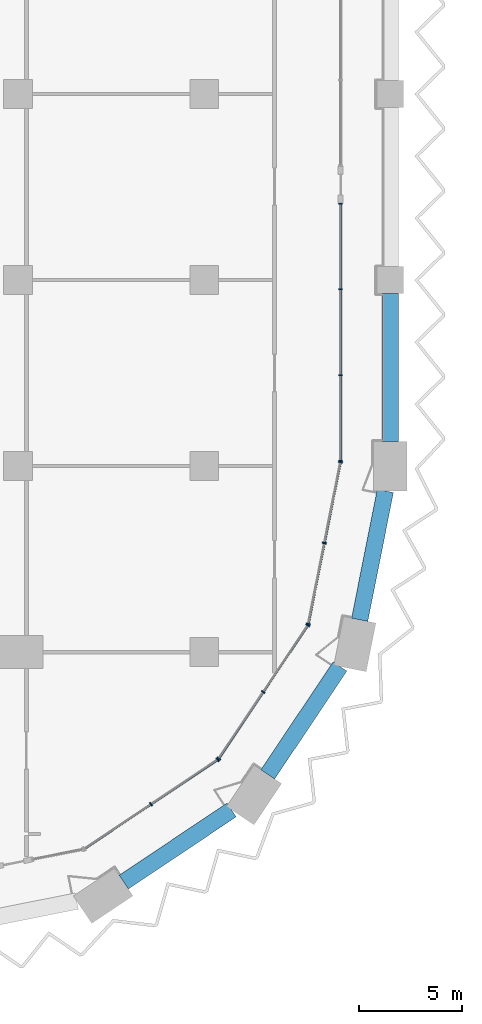
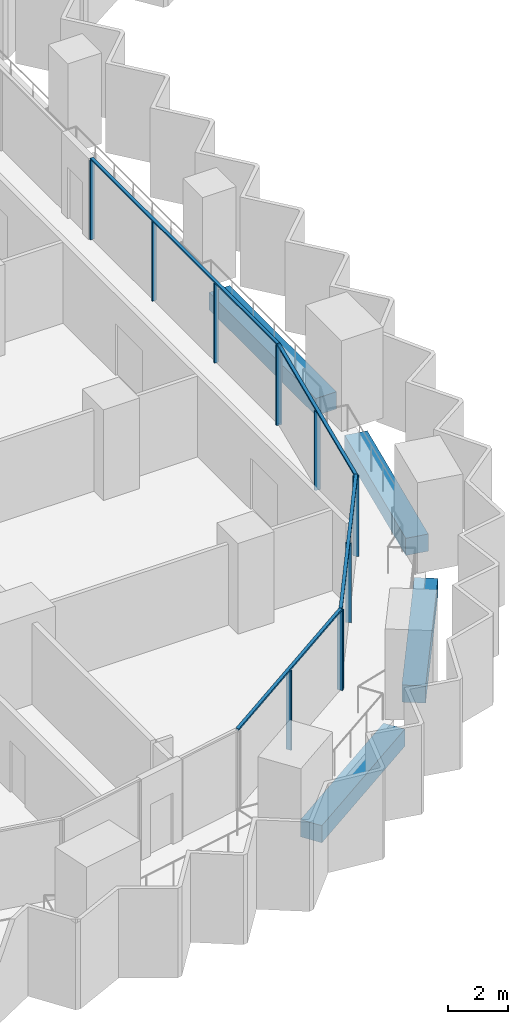
# One storey, part 3 of 28: 16 members, 4 beams, 4 elements without a shape of their own.
"""IFC4 building model written with IfcOpenShell, lengths in metres."""

import ifcopenshell
import ifcopenshell.guid

model = None  # the IFC model being written
_history = None  # IfcOwnerHistory: only IFC2X3 demands one
_inside = {}  # id of a spatial element -> (the spatial element, [elements in it])
_under = {}  # id of a project, library or spatial element -> (it, [spatial elements below it])
_declared = {}  # id of a project -> (the project, [libraries it declares])
_typed = {}  # id of a type object -> (the type object, [elements of that type])
_made_of = {}  # id of a material, layer set ... -> (it, [elements and type objects made of it])


def new_model(schema):
    """Start an empty IFC model of exactly this schema.

    Asked for "IFC4X3", IfcOpenShell would pick the latest addendum, in which some entities
    have other attributes; the version numbers below select the first issue.
    IFC2X3 requires an IfcOwnerHistory on every rooted entity: one is made here for all.
    """
    global model, _history
    if schema == "IFC4X3":
        model = ifcopenshell.file(schema_version=(4, 3, 0, 0))
    else:
        model = ifcopenshell.file(schema=schema)
    _inside.clear()
    _under.clear()
    _declared.clear()
    _typed.clear()
    _made_of.clear()
    _history = None
    if model.schema == "IFC2X3":
        org = make("IfcOrganization", Name="unknown")
        user = make(
            "IfcPersonAndOrganization",
            ThePerson=make("IfcPerson", FamilyName="unknown"),
            TheOrganization=org,
        )
        app = make(
            "IfcApplication",
            ApplicationDeveloper=org,
            Version="unknown",
            ApplicationFullName="unknown",
            ApplicationIdentifier="unknown",
        )
        _history = make(
            "IfcOwnerHistory",
            OwningUser=user,
            OwningApplication=app,
            ChangeAction="ADDED",
            CreationDate=0,
        )
    return model


def make(cls, **values):
    """One entity of the class cls with the attributes given. An attribute that is None is left unset."""
    return model.create_entity(
        cls, **{name: value for name, value in values.items() if value is not None}
    )


def rooted(cls, **values):
    """An entity with a GlobalId (a new one), such as an element, a storey or a relation."""
    return make(cls, GlobalId=ifcopenshell.guid.new(), OwnerHistory=_history, **values)


def si_unit(unit_type, name, prefix=None):
    """IfcSIUnit, for example si_unit("LENGTHUNIT", "METRE", prefix="MILLI")."""
    return make("IfcSIUnit", UnitType=unit_type, Prefix=prefix, Name=name)


def assignment(units):
    """IfcUnitAssignment: the units of a project."""
    return None if units is None else make("IfcUnitAssignment", Units=units)


def point(xyz):
    """IfcCartesianPoint."""
    return None if xyz is None else make("IfcCartesianPoint", Coordinates=xyz)


def direction(xyz):
    """IfcDirection."""
    return None if xyz is None else make("IfcDirection", DirectionRatios=xyz)


def frame(location, z_axis=None, x_axis=None):
    """IfcAxis2Placement3D, a coordinate frame: its origin and axes. An axis left out is left unset."""
    return make(
        "IfcAxis2Placement3D",
        Location=point(location),
        Axis=direction(z_axis),
        RefDirection=direction(x_axis),
    )


def frame_2d(location, x_axis=None):
    """IfcAxis2Placement2D, a coordinate frame in the plane: its origin and x axis."""
    return make(
        "IfcAxis2Placement2D", Location=point(location), RefDirection=direction(x_axis)
    )


def origin():
    """The frame at (0, 0, 0) with its axes left unset."""
    return frame((0.0, 0.0, 0.0))


def origin_2d():
    """The frame at (0, 0) in the plane with its x axis left unset."""
    return frame_2d((0.0, 0.0))


def place(relative_to, where):
    """IfcLocalPlacement: puts the frame where relative to a parent placement (None: the world)."""
    return make(
        "IfcLocalPlacement", PlacementRelTo=relative_to, RelativePlacement=where
    )


def context(
    kind, dimensions, precision=None, world=None, true_north=None, identifier=None
):
    """IfcGeometricRepresentationContext, for example the 3D "Model" context."""
    return make(
        "IfcGeometricRepresentationContext",
        ContextIdentifier=identifier,
        ContextType=kind,
        CoordinateSpaceDimension=dimensions,
        Precision=precision,
        WorldCoordinateSystem=world,
        TrueNorth=true_north,
    )


def subcontext(parent, identifier, kind, view, scale=None):
    """IfcGeometricRepresentationSubContext, for example "Body" below "Model"."""
    return make(
        "IfcGeometricRepresentationSubContext",
        ContextIdentifier=identifier,
        ContextType=kind,
        ParentContext=parent,
        TargetScale=scale,
        TargetView=view,
    )


def project(units=None, contexts=None):
    """IfcProject with its units and contexts."""
    return rooted(
        "IfcProject",
        Name="project",
        RepresentationContexts=contexts,
        UnitsInContext=assignment(units),
    )


def spatial(cls, under=None, at=None, **own):
    """A site, building, storey or space (cls), placed at a placement, below another one or the project."""
    s = rooted(cls, ObjectPlacement=at, **own)
    if under is not None:
        _under.setdefault(under.id(), (under, []))[1].append(s)
    return s


def profile(cls, at=None, kind="AREA", **sizes):
    """A parametric profile (cls). Its sizes go by their IFC names, for example OverallWidth=200.0."""
    return make(cls, ProfileType=kind, Position=at, **sizes)


def rectangle(**sizes):
    """IfcRectangleProfileDef."""
    return profile("IfcRectangleProfileDef", **sizes)


def extrude(swept, where, along, depth):
    """IfcExtrudedAreaSolid: the profile swept, set in the frame where, extruded along a direction by depth."""
    return make(
        "IfcExtrudedAreaSolid",
        SweptArea=swept,
        Position=where,
        ExtrudedDirection=direction(along),
        Depth=depth,
    )


def shape(context_of_items, identifier, shape_type, items):
    """IfcShapeRepresentation: the items that make up one representation, for example the "Body"."""
    return make(
        "IfcShapeRepresentation",
        ContextOfItems=context_of_items,
        RepresentationIdentifier=identifier,
        RepresentationType=shape_type,
        Items=items,
    )


def material(Name=None, Category=None):
    """IfcMaterial."""
    return make("IfcMaterial", Name=Name, Category=Category)


def material_profile(
    of_material, cross_section, Name=None, Category=None, Priority=None
):
    """IfcMaterialProfile: a cross section and its material."""
    return make(
        "IfcMaterialProfile",
        Name=Name,
        Material=of_material,
        Profile=cross_section,
        Priority=Priority,
        Category=Category,
    )


def profile_set(profiles, Name=None, composite=None):
    """IfcMaterialProfileSet."""
    return make(
        "IfcMaterialProfileSet",
        Name=Name,
        MaterialProfiles=profiles,
        CompositeProfile=composite,
    )


def made_of(thing, what):
    """Note that an element or type object is made of a material, layer set ...; save() writes the relation."""
    if what is not None:
        _made_of.setdefault(what.id(), (what, []))[1].append(thing)
    return thing


def type_object(cls, material=None, **own):
    """A type object (cls), such as IfcWallType, which elements share."""
    return made_of(rooted(cls, **own), material)


def element(
    cls,
    number,
    at=None,
    inside=None,
    cuts=None,
    type_object=None,
    material=None,
    context=None,
    identifier="Body",
    shape_type=None,
    held_by="IfcProductDefinitionShape",
    body=None,
    shapes=None,
    **own,
):
    """One element of the class cls, such as IfcWall. Its Tag is "e" and its number.

    at: its placement. inside: the storey or other place that contains it. cuts: it is an
    opening in that element (IfcRelVoidsElement). A single representation is given by context,
    identifier, shape_type and body (its items); several are given by shapes. held_by: the class
    of the entity that holds the representations. save() writes the other relations.
    """
    e = rooted(cls, Tag="e%d" % number, ObjectPlacement=at, **own)
    if body is not None:
        shapes = [shape(context, identifier, shape_type, body)]
    if shapes is not None:
        e.Representation = make(held_by, Representations=shapes)
    if inside is not None:
        _inside.setdefault(inside.id(), (inside, []))[1].append(e)
    if cuts is not None:
        rooted(
            "IfcRelVoidsElement", RelatingBuildingElement=cuts, RelatedOpeningElement=e
        )
    if type_object is not None:
        _typed.setdefault(type_object.id(), (type_object, []))[1].append(e)
    return made_of(e, material)


def aggregate(whole, parts):
    """IfcRelAggregates: a whole, such as a stair, and the parts it consists of."""
    return rooted("IfcRelAggregates", RelatingObject=whole, RelatedObjects=parts)


def save(model, path):
    """Write the relations noted so far, then the file.

    IfcRelAggregates (storeys below a building ...), IfcRelContainedInSpatialStructure (elements
    in a storey), IfcRelDefinesByType, IfcRelAssociatesMaterial and IfcRelDeclares: one each for
    every whole, place, type object, material and project.
    """
    for whole, parts in _under.values():
        aggregate(whole, parts)
    for where, things in _inside.values():
        rooted(
            "IfcRelContainedInSpatialStructure",
            RelatedElements=things,
            RelatingStructure=where,
        )
    for kind, things in _typed.values():
        rooted("IfcRelDefinesByType", RelatedObjects=things, RelatingType=kind)
    for what, things in _made_of.values():
        rooted("IfcRelAssociatesMaterial", RelatedObjects=things, RelatingMaterial=what)
    for by, libraries in _declared.values():
        rooted("IfcRelDeclares", RelatingContext=by, RelatedDefinitions=libraries)
    model.write(path)


model = new_model("IFC4")

# Units and contexts
model_context = context("Model", 3, precision=1e-05, world=origin(), true_north=direction((0.0, 1.0)))
body_context = subcontext(model_context, "Body", "Model", "MODEL_VIEW")
ifc_project = project(units=[si_unit("LENGTHUNIT", "METRE"), si_unit("AREAUNIT", "SQUARE_METRE"), si_unit("VOLUMEUNIT", "CUBIC_METRE"), si_unit("PLANEANGLEUNIT", "RADIAN"), si_unit("MASSUNIT", "GRAM", prefix="KILO")], contexts=[model_context])

# Site, building, storey
site_placement = place(None, origin())
site = spatial("IfcSite", under=ifc_project, at=site_placement, CompositionType="ELEMENT")
building_placement = place(site_placement, origin())
building = spatial("IfcBuilding", under=site, at=building_placement, Name="Hunhe Ridgeline Campus", CompositionType="ELEMENT")
storey_placement = place(building_placement, frame((0.0, 0.0, 72.800048828125)))
storey = spatial("IfcBuildingStorey", under=building, at=storey_placement, Name="L17", CompositionType="ELEMENT", Elevation=72.800048828125)

# Curtain wall, members
ifc_material_1 = material(Name="Aluminium 6063", Category="aluminium")
curtain_wall_type_1 = type_object("IfcCurtainWallType", Name="Curtain wall CW-1", PredefinedType="NOTDEFINED", material=ifc_material_1)
curtain_wall_1_placement = place(storey_placement, origin())
curtain_wall_1 = element("IfcCurtainWall", 1, at=curtain_wall_1_placement, inside=storey, type_object=curtain_wall_type_1, Name="Curtain wall 11", PredefinedType="NOTDEFINED")
ifc_material_profile_1 = material_profile(ifc_material_1, rectangle(XDim=0.159912109375, YDim=0.06005859375, at=origin_2d()))
ifc_profile_set_1 = profile_set([ifc_material_profile_1], Name="Aluminium 6063")
member_type_1 = type_object("IfcMemberType", Name="CW-1 aluminium mullion", PredefinedType="MULLION", material=ifc_profile_set_1)
member_1_placement = place(storey_placement, frame((42.59912109375, 27.266357421875, 0.0), z_axis=(0.0, 0.0, 1.0), x_axis=(-1.0, 1.60239e-07, 0.0)))
member_1 = element("IfcMember", 2, at=member_1_placement, type_object=member_type_1, Name="CW-1 mullion 1", PredefinedType="MULLION", context=body_context, shape_type="SweptSolid", body=[
    extrude(rectangle(XDim=0.159912109375, YDim=0.06005859375, at=origin_2d()), origin(), (0.0, 0.0, 1.0), 3.239990234375),
])
member_2_placement = place(storey_placement, frame((42.59912109375, 31.39697265625, 0.0), z_axis=(0.0, 0.0, 1.0), x_axis=(-1.0, 1.60239e-07, 0.0)))
member_2 = element("IfcMember", 3, at=member_2_placement, type_object=member_type_1, Name="CW-1 mullion 2", PredefinedType="MULLION", context=body_context, shape_type="SweptSolid", body=[
    extrude(rectangle(XDim=0.159912109375, YDim=0.06005859375, at=origin_2d()), origin(), (0.0, 0.0, 1.0), 3.239990234375),
])
member_3_placement = place(storey_placement, frame((42.59912109375, 35.5576171875, 0.0), z_axis=(0.0, 0.0, 1.0), x_axis=(-1.0, 1.60239e-07, 0.0)))
member_3 = element("IfcMember", 4, at=member_3_placement, type_object=member_type_1, Name="CW-1 mullion 3", PredefinedType="MULLION", context=body_context, shape_type="SweptSolid", body=[
    extrude(rectangle(XDim=0.159912109375, YDim=0.06005859375, at=origin_2d()), origin(), (0.0, 0.0, 1.0), 3.239990234375),
])
member_4_placement = place(storey_placement, frame((42.59912109375, 39.688232421875, 0.0), z_axis=(0.0, 0.0, 1.0), x_axis=(-1.0, 1.60239e-07, 0.0)))
member_4 = element("IfcMember", 5, at=member_4_placement, type_object=member_type_1, Name="CW-1 mullion 4", PredefinedType="MULLION", context=body_context, shape_type="SweptSolid", body=[
    extrude(rectangle(XDim=0.159912109375, YDim=0.06005859375, at=origin_2d()), origin(), (0.0, 0.0, 1.0), 3.239990234375),
])
ifc_material_profile_2 = material_profile(ifc_material_1, rectangle(XDim=0.1201171875, YDim=0.06005859375, at=origin_2d()))
ifc_profile_set_2 = profile_set([ifc_material_profile_2], Name="Aluminium 6063")
member_type_2 = type_object("IfcMemberType", Name="CW-1 aluminium transom", PredefinedType="USERDEFINED", material=ifc_profile_set_2)
member_5_placement = place(storey_placement, frame((42.59912109375, 27.236572265625, 3.27001953125), z_axis=(0.0, 1.0, 0.0), x_axis=(-1.0, 0.0, 0.0)))
member_5 = element("IfcMember", 6, at=member_5_placement, type_object=member_type_2, Name="CW-1 transom 1", ObjectType="TRANSOM", PredefinedType="USERDEFINED", context=body_context, shape_type="SweptSolid", body=[
    extrude(rectangle(XDim=0.1201171875, YDim=0.06005859375, at=origin_2d()), origin(), (0.0, 0.0, 1.0), 12.481689453125),
])
aggregate(curtain_wall_1, [member_5, member_1, member_2, member_3, member_4])

curtain_wall_type_2 = type_object("IfcCurtainWallType", Name="Curtain wall CW-5", PredefinedType="NOTDEFINED", material=ifc_material_1)
curtain_wall_2_placement = place(storey_placement, origin())
curtain_wall_2 = element("IfcCurtainWall", 7, at=curtain_wall_2_placement, inside=storey, type_object=curtain_wall_type_2, Name="Curtain wall 08", PredefinedType="NOTDEFINED")
ifc_material_profile_3 = material_profile(ifc_material_1, rectangle(XDim=0.199951171875, YDim=0.070068359375, at=origin_2d()))
ifc_profile_set_3 = profile_set([ifc_material_profile_3], Name="Aluminium 6063")
member_type_3 = type_object("IfcMemberType", Name="CW-5 aluminium mullion", PredefinedType="MULLION", material=ifc_profile_set_3)
member_6_placement = place(storey_placement, frame((33.42626953125, 10.647705078125, 0.0), z_axis=(0.0, 0.0, 1.0), x_axis=(-0.555570274596, 0.831469584522, 0.0)))
member_6 = element("IfcMember", 8, at=member_6_placement, type_object=member_type_3, Name="CW-5 mullion 2", PredefinedType="MULLION", context=body_context, shape_type="SweptSolid", body=[
    extrude(rectangle(XDim=0.199951171875, YDim=0.070068359375, at=origin_2d()), origin(), (0.0, 0.0, 1.0), 3.22998046875),
])
member_7_placement = place(storey_placement, frame((36.649658203125, 12.8017578125, 0.0), z_axis=(0.0, 0.0, 1.0), x_axis=(-0.555570274596, 0.831469584522, 0.0)))
member_7 = element("IfcMember", 9, at=member_7_placement, type_object=member_type_3, Name="CW-5 mullion 3", PredefinedType="MULLION", context=body_context, shape_type="SweptSolid", body=[
    extrude(rectangle(XDim=0.199951171875, YDim=0.070068359375, at=origin_2d()), origin(), (0.0, 0.0, 1.0), 3.22998046875),
])

curtain_wall_3_placement = place(storey_placement, origin())
curtain_wall_3 = element("IfcCurtainWall", 10, at=curtain_wall_3_placement, inside=storey, type_object=curtain_wall_type_2, Name="Curtain wall 09", PredefinedType="NOTDEFINED")
member_8_placement = place(storey_placement, frame((36.6982421875, 12.850341796875, 0.0), z_axis=(0.0, 0.0, 1.0), x_axis=(-0.831469584522, 0.555570274596, 0.0)))
member_8 = element("IfcMember", 11, at=member_8_placement, type_object=member_type_3, Name="CW-5 mullion 1", PredefinedType="MULLION", context=body_context, shape_type="SweptSolid", body=[
    extrude(rectangle(XDim=0.199951171875, YDim=0.070068359375, at=origin_2d()), origin(), (0.0, 0.0, 1.0), 3.22998046875),
])
member_9_placement = place(storey_placement, frame((38.852294921875, 16.07373046875, 0.0), z_axis=(0.0, 0.0, 1.0), x_axis=(-0.831469584522, 0.555570274596, 0.0)))
member_9 = element("IfcMember", 12, at=member_9_placement, type_object=member_type_3, Name="CW-5 mullion 2", PredefinedType="MULLION", context=body_context, shape_type="SweptSolid", body=[
    extrude(rectangle(XDim=0.199951171875, YDim=0.070068359375, at=origin_2d()), origin(), (0.0, 0.0, 1.0), 3.22998046875),
])
member_10_placement = place(storey_placement, frame((41.006103515625, 19.29736328125, 0.0), z_axis=(0.0, 0.0, 1.0), x_axis=(-0.831469584522, 0.555570274596, 0.0)))
member_10 = element("IfcMember", 13, at=member_10_placement, type_object=member_type_3, Name="CW-5 mullion 3", PredefinedType="MULLION", context=body_context, shape_type="SweptSolid", body=[
    extrude(rectangle(XDim=0.199951171875, YDim=0.070068359375, at=origin_2d()), origin(), (0.0, 0.0, 1.0), 3.22998046875),
])

curtain_wall_4_placement = place(storey_placement, origin())
curtain_wall_4 = element("IfcCurtainWall", 14, at=curtain_wall_4_placement, inside=storey, type_object=curtain_wall_type_2, Name="Curtain wall 10", PredefinedType="NOTDEFINED")
member_11_placement = place(storey_placement, frame((41.032470703125, 19.36083984375, 0.0), z_axis=(0.0, 0.0, 1.0), x_axis=(-0.980785284939, 0.195090299215, 0.0)))
member_11 = element("IfcMember", 15, at=member_11_placement, type_object=member_type_3, Name="CW-5 mullion 1", PredefinedType="MULLION", context=body_context, shape_type="SweptSolid", body=[
    extrude(rectangle(XDim=0.199951171875, YDim=0.070068359375, at=origin_2d()), origin(), (0.0, 0.0, 1.0), 3.22998046875),
])
member_12_placement = place(storey_placement, frame((41.812255859375, 23.281494140625, 0.0), z_axis=(0.0, 0.0, 1.0), x_axis=(-0.980785284939, 0.195090299215, 0.0)))
member_12 = element("IfcMember", 16, at=member_12_placement, type_object=member_type_3, Name="CW-5 mullion 2", PredefinedType="MULLION", context=body_context, shape_type="SweptSolid", body=[
    extrude(rectangle(XDim=0.199951171875, YDim=0.070068359375, at=origin_2d()), origin(), (0.0, 0.0, 1.0), 3.22998046875),
])
member_13_placement = place(storey_placement, frame((42.59228515625, 27.2021484375, 0.0), z_axis=(0.0, 0.0, 1.0), x_axis=(-0.980785284939, 0.195090299215, 0.0)))
member_13 = element("IfcMember", 17, at=member_13_placement, type_object=member_type_3, Name="CW-5 mullion 3", PredefinedType="MULLION", context=body_context, shape_type="SweptSolid", body=[
    extrude(rectangle(XDim=0.199951171875, YDim=0.070068359375, at=origin_2d()), origin(), (0.0, 0.0, 1.0), 3.22998046875),
])

# Member
ifc_material_profile_4 = material_profile(ifc_material_1, rectangle(XDim=0.1201171875, YDim=0.070068359375, at=origin_2d()))
ifc_profile_set_4 = profile_set([ifc_material_profile_4], Name="Aluminium 6063")
member_type_4 = type_object("IfcMemberType", Name="CW-5 aluminium transom", PredefinedType="USERDEFINED", material=ifc_profile_set_4)
member_14_placement = place(storey_placement, frame((30.173583984375, 8.474365234375, 3.264892578125), z_axis=(0.831473763475, 0.5555640203, 0.0), x_axis=(-0.5555640203, 0.831473763475, 0.0)))
member_14 = element("IfcMember", 18, at=member_14_placement, type_object=member_type_4, Name="CW-5 transom 1", ObjectType="TRANSOM", PredefinedType="USERDEFINED", context=body_context, shape_type="SweptSolid", body=[
    extrude(rectangle(XDim=0.1201171875, YDim=0.070068359375, at=origin_2d()), origin(), (0.0, 0.0, 1.0), 7.823974609375),
])

aggregate(curtain_wall_2, [member_14, member_6, member_7])

member_15_placement = place(storey_placement, frame((36.678955078125, 12.821044921875, 3.264892578125), z_axis=(0.5555640203, 0.831473763475, 0.0), x_axis=(-0.831473763475, 0.5555640203, 0.0)))
member_15 = element("IfcMember", 19, at=member_15_placement, type_object=member_type_4, Name="CW-5 transom 1", ObjectType="TRANSOM", PredefinedType="USERDEFINED", context=body_context, shape_type="SweptSolid", body=[
    extrude(rectangle(XDim=0.1201171875, YDim=0.070068359375, at=origin_2d()), origin(), (0.0, 0.0, 1.0), 7.823974609375),
])

aggregate(curtain_wall_3, [member_15, member_8, member_9, member_10])

member_16_placement = place(storey_placement, frame((41.025634765625, 19.326416015625, 3.264892578125), z_axis=(0.195097290093, 0.980783894341, 0.0), x_axis=(-0.980783894341, 0.195097290093, 0.0)))
member_16 = element("IfcMember", 20, at=member_16_placement, type_object=member_type_4, Name="CW-5 transom 1", ObjectType="TRANSOM", PredefinedType="USERDEFINED", context=body_context, shape_type="SweptSolid", body=[
    extrude(rectangle(XDim=0.1201171875, YDim=0.070068359375, at=origin_2d()), origin(), (0.0, 0.0, 1.0), 8.065185546875),
])

aggregate(curtain_wall_4, [member_16, member_11, member_12, member_13])

# Beams
ifc_material_2 = material(Name="Concrete C60", Category="concrete")
ifc_material_profile_5 = material_profile(ifc_material_2, rectangle(XDim=0.800048828125, YDim=0.699951171875, at=origin_2d()))
ifc_profile_set_5 = profile_set([ifc_material_profile_5], Name="Concrete C60")
beam_type = type_object("IfcBeamType", Name="RC spandrel beam 800x700 Concrete C60", PredefinedType="SPANDREL", material=ifc_profile_set_5)
for number, where, z_axis, x_axis, name in (
    (21, (32.108154296875, 6.87939453125, -0.60009765625), (0.831469696846, 0.555570106491, 0.0), (-0.555570106491, 0.831469696846, 0.0), "Spandrel beam B1-6 L17"),
    (22, (39.07666015625, 12.087890625, -0.60009765625), (0.555570106491, 0.831469696846, 0.0), (-0.831469696846, 0.555570106491, 0.0), "Spandrel beam B1-7 L17"),
):
    element("IfcBeam", number, at=place(storey_placement, frame(where, z_axis=z_axis, x_axis=x_axis)), inside=storey, type_object=beam_type, Name=name, PredefinedType="SPANDREL", context=body_context, shape_type="SweptSolid", body=[
        extrude(rectangle(XDim=0.800048828125, YDim=0.699951171875, at=origin_2d()), origin(), (0.0, 0.0, 1.0), 6.280029296875),
    ])
beam_1_placement = place(storey_placement, frame((43.521484375, 19.566650390625, -0.60009765625), z_axis=(0.195067021304, 0.980789914915, 0.0), x_axis=(-0.980789914915, 0.195067021304, 0.0)))
element("IfcBeam", 23, at=beam_1_placement, inside=storey, type_object=beam_type, Name="Spandrel beam B1-8 L17", PredefinedType="SPANDREL", context=body_context, shape_type="SweptSolid", body=[
    extrude(rectangle(XDim=0.800048828125, YDim=0.699951171875, at=origin_2d()), origin(), (0.0, 0.0, 1.0), 6.35546875),
])
beam_2_placement = place(storey_placement, frame((45.0, 28.199951171875, -0.60009765625), z_axis=(0.0, 1.0, 0.0), x_axis=(-1.0, 0.0, 0.0)))
element("IfcBeam", 24, at=beam_2_placement, inside=storey, type_object=beam_type, Name="Spandrel beam B1-9 L17", PredefinedType="SPANDREL", context=body_context, shape_type="SweptSolid", body=[
    extrude(rectangle(XDim=0.800048828125, YDim=0.699951171875, at=origin_2d()), origin(), (0.0, 0.0, 1.0), 7.150146484375),
])

save(model, "model.ifc")
